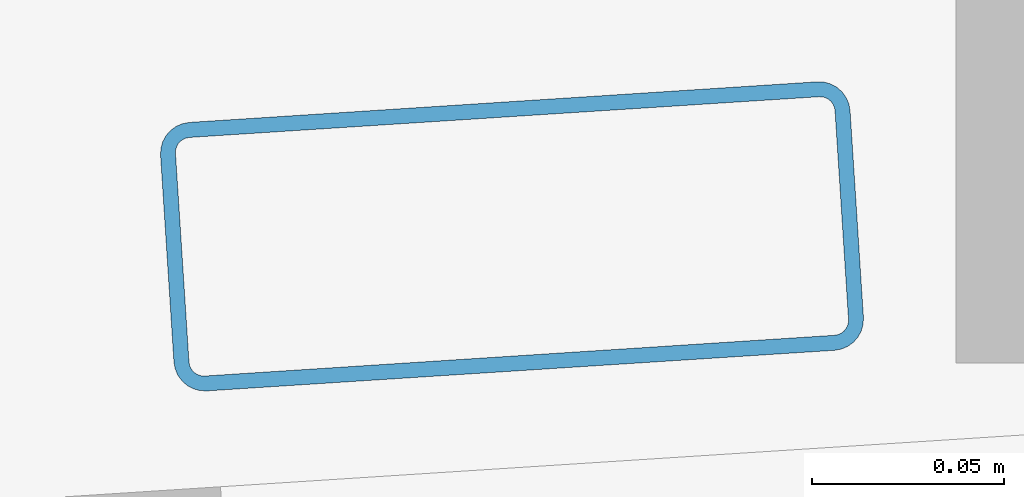
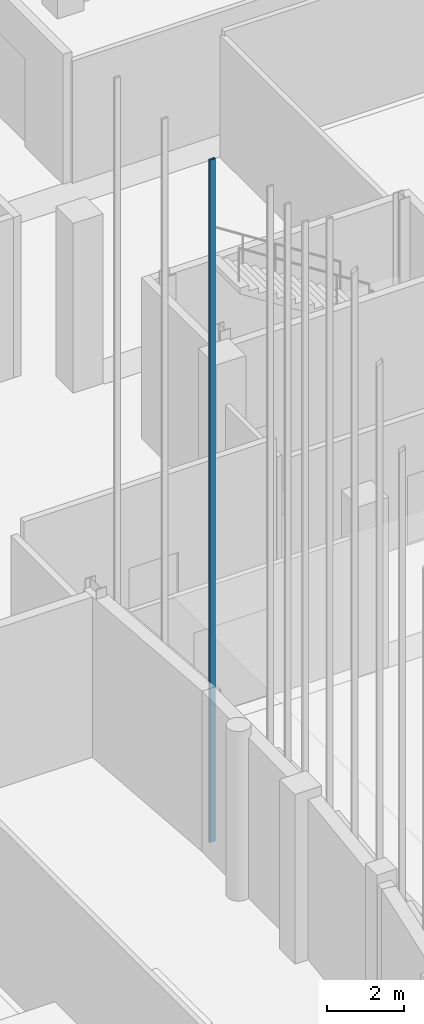
# One storey, part 127 of 372: 1 member.
"""IFC4 building model written with IfcOpenShell, lengths in metres."""

from ifc_helpers import new_model, si_unit, direction, frame, origin, origin_2d, place, context, subcontext, project, spatial, hollow_rectangle, extrude, material, material_profile, profile_set, type_object, element, save


model = new_model("IFC4")

# Units and contexts
model_context = context("Model", 3, precision=1e-05, world=origin(), true_north=direction((0.0, 1.0)))
body_context = subcontext(model_context, "Body", "Model", "MODEL_VIEW")
ifc_project = project(units=[si_unit("LENGTHUNIT", "METRE"), si_unit("AREAUNIT", "SQUARE_METRE"), si_unit("VOLUMEUNIT", "CUBIC_METRE"), si_unit("PLANEANGLEUNIT", "RADIAN"), si_unit("MASSUNIT", "GRAM", prefix="KILO")], contexts=[model_context])

# Site, building, storey
site_placement = place(None, origin())
site = spatial("IfcSite", under=ifc_project, at=site_placement, CompositionType="ELEMENT")
building_placement = place(site_placement, origin())
building = spatial("IfcBuilding", under=site, at=building_placement, Name="Kaelora Sail Theatre", CompositionType="ELEMENT")
storey_placement = place(building_placement, origin())
storey = spatial("IfcBuildingStorey", under=building, at=storey_placement, Name="L00", CompositionType="ELEMENT", Elevation=0.0)

# Member
ifc_material = material(Name="Anodised aluminium 6063-T6", Category="aluminium")
ifc_material_profile = material_profile(ifc_material, hollow_rectangle(XDim=0.070068359375, YDim=0.179931640625, WallThickness=0.00390625, InnerFilletRadius=0.00390625, OuterFilletRadius=0.008056640625, at=origin_2d()), Name="ALU-MULL 70x180x4")
ifc_profile_set = profile_set([ifc_material_profile], Name="Anodised aluminium 6063-T6")
member_type = type_object("IfcMemberType", Name="ARC-MEM-PST-160", PredefinedType="POST", material=ifc_profile_set)
member_placement = place(storey_placement, frame((58.804443359375, 56.0087890625, 0.0), z_axis=(0.0, 0.0, 1.0), x_axis=(0.064532308253, -0.997915618272, 0.0)))
element("IfcMember", 1, at=member_placement, inside=storey, type_object=member_type, Name="Main Theatre Sail Drum solar louvre vertical support post C1-3", PredefinedType="POST", context=body_context, shape_type="SweptSolid", body=[
    extrude(hollow_rectangle(XDim=0.070068359375, YDim=0.179931640625, WallThickness=0.00390625, InnerFilletRadius=0.00390625, OuterFilletRadius=0.008056640625, at=origin_2d()), origin(), (0.0, 0.0, 1.0), 21.716796875),
])

save(model, "model.ifc")
